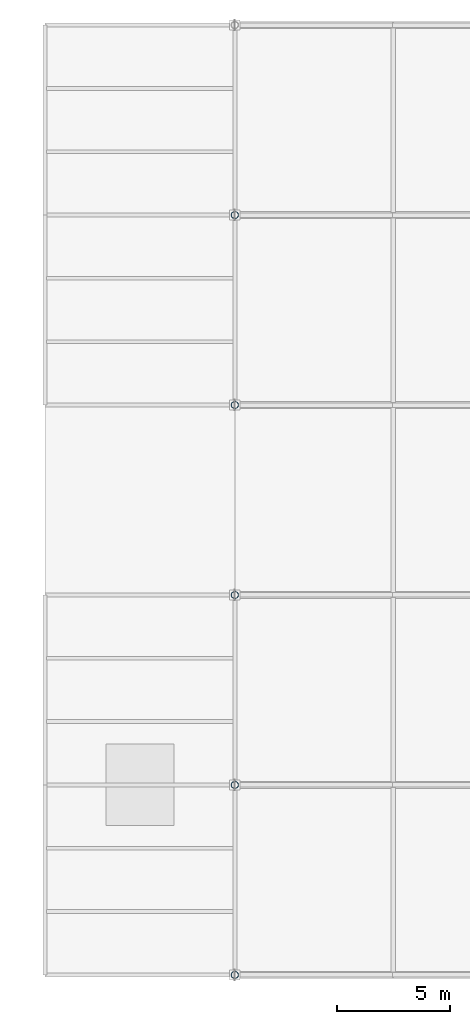
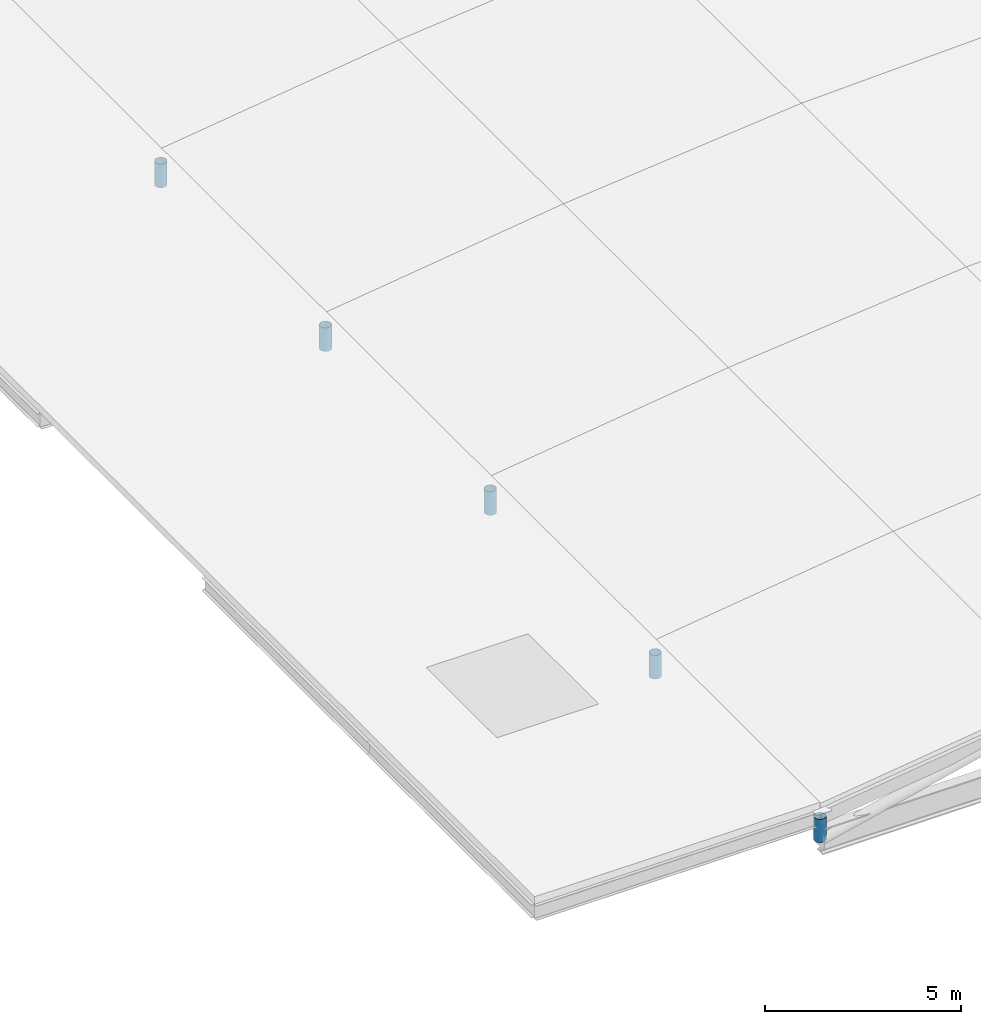
# One storey, part 3 of 11: 5 members.
"""IFC4 building model written with IfcOpenShell, lengths in metres."""

from ifc_helpers import new_model, si_unit, direction, frame, origin, origin_2d, place, context, subcontext, project, spatial, hollow_circle, extrude, material, material_profile, profile_set, type_object, element, save


model = new_model("IFC4")

# Units and contexts
model_context = context("Model", 3, precision=1e-05, world=origin(), true_north=direction((0.0, 1.0)))
body_context = subcontext(model_context, "Body", "Model", "MODEL_VIEW")
ifc_project = project(units=[si_unit("LENGTHUNIT", "METRE"), si_unit("AREAUNIT", "SQUARE_METRE"), si_unit("VOLUMEUNIT", "CUBIC_METRE"), si_unit("PLANEANGLEUNIT", "RADIAN"), si_unit("MASSUNIT", "GRAM", prefix="KILO"), si_unit("THERMODYNAMICTEMPERATUREUNIT", "KELVIN"), si_unit("POWERUNIT", "WATT")], contexts=[model_context])

# Site, building, storey
site_placement = place(None, origin())
site = spatial("IfcSite", under=ifc_project, at=site_placement, CompositionType="ELEMENT")
building_placement = place(site_placement, origin())
building = spatial("IfcBuilding", under=site, at=building_placement, Name="Tembeka Court Mobility Hub", CompositionType="ELEMENT")
storey_placement = place(building_placement, frame((0.0, 0.0, 28.800048828125)))
storey = spatial("IfcBuildingStorey", under=building, at=storey_placement, Name="RF", CompositionType="ELEMENT", Elevation=28.800048828125)

# Members
ifc_material = material(Name="Steel S355", Category="steel")
ifc_material_profile = material_profile(ifc_material, hollow_circle(Radius=0.161865234375, WallThickness=0.012451171875, at=origin_2d()), Name="CHS 323.9x12.5")
ifc_profile_set = profile_set([ifc_material_profile], Name="Steel S355")
member_type = type_object("IfcMemberType", Name="MEM-ST01", PredefinedType="STRUT", material=ifc_profile_set)
for number, where, z_axis, x_axis, name in (
    (1, (42.0, 38.39990234375, -1.150146484375), (0.0, 0.0, 1.0), (1.0, 0.0, 0.0), "Sports hall arch springing post SR01-1-P1"),
    (2, (42.0, 46.800048828125, -1.150146484375), (0.0, 0.0, 1.0), (1.0, 0.0, 0.0), "Sports hall arch springing post SR01-2-P1"),
    (3, (42.0, 55.199951171875, -1.150146484375), (0.0, 0.0, 1.0), (1.0, 0.0, 0.0), "Sports hall arch springing post SR01-3-P1"),
    (4, (42.0, 63.60009765625, -1.150146484375), (0.0, 0.0, 1.0), (1.0, 0.0, 0.0), "Sports hall arch springing post SR01-4-P1"),
    (5, (42.0, 72.0, -1.150146484375), (0.0, 0.0, 1.0), (1.0, 0.0, 0.0), "Sports hall arch springing post SR01-5-P1"),
):
    element("IfcMember", number, at=place(storey_placement, frame(where, z_axis=z_axis, x_axis=x_axis)), inside=storey, type_object=member_type, Name=name, PredefinedType="STRUT", context=body_context, shape_type="SweptSolid", body=[
        extrude(hollow_circle(Radius=0.161865234375, WallThickness=0.012451171875, at=origin_2d()), origin(), (0.0, 0.0, 1.0), 0.72998046875),
    ])

save(model, "model.ifc")
